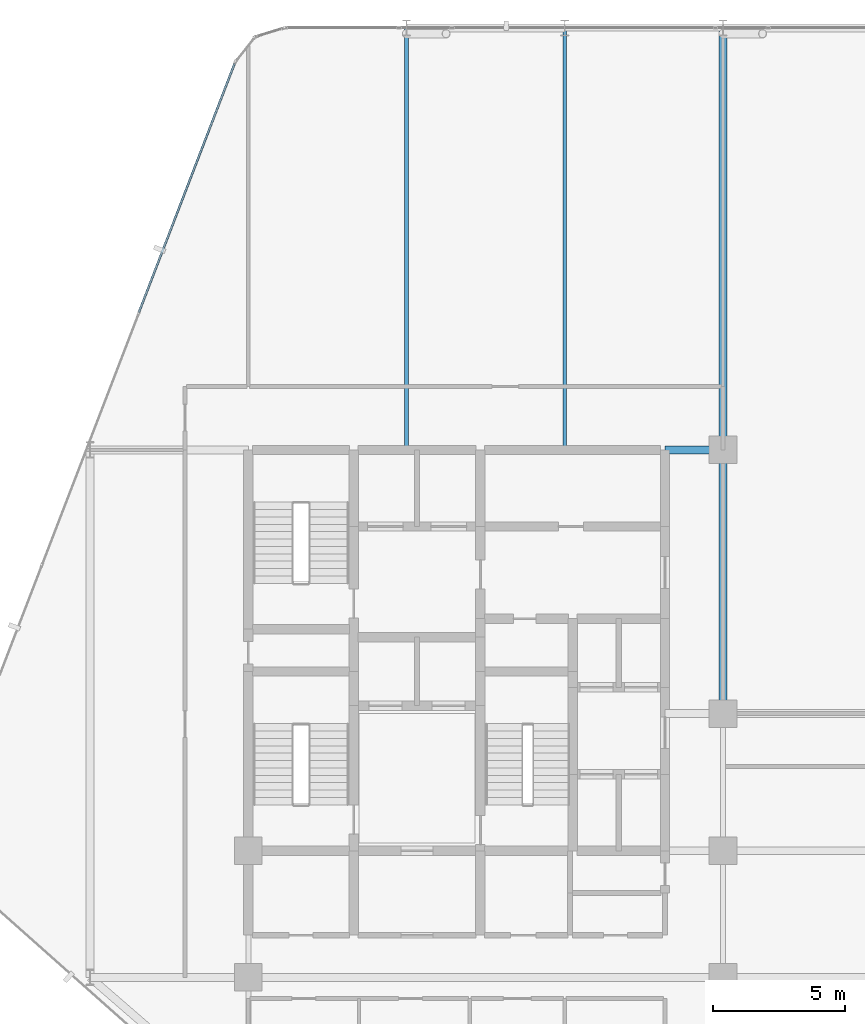
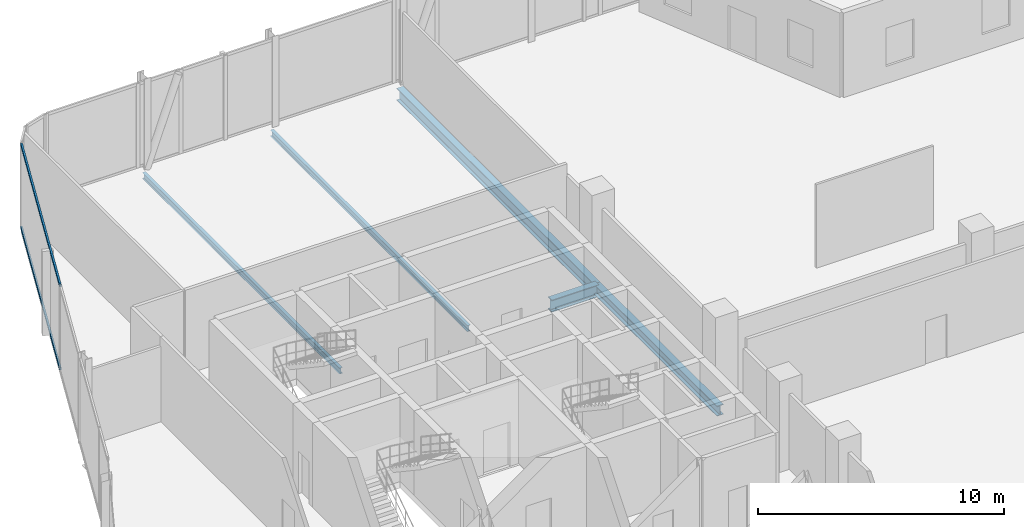
# One storey, part 15 of 31: 5 beams, 2 members, 1 element without a shape of its own.
"""IFC4 building model written with IfcOpenShell, lengths in metres."""

from ifc_helpers import new_model, si_unit, direction, frame, origin, origin_2d, place, context, subcontext, project, spatial, hollow_rectangle, i_section, extrude, material, layer, layer_set, material_profile, profile_set, type_object, element, aggregate, save


model = new_model("IFC4")

# Units and contexts
model_context = context("Model", 3, precision=1e-05, world=origin(), true_north=direction((0.0, 1.0)))
body_context = subcontext(model_context, "Body", "Model", "MODEL_VIEW")
ifc_project = project(units=[si_unit("LENGTHUNIT", "METRE"), si_unit("AREAUNIT", "SQUARE_METRE"), si_unit("VOLUMEUNIT", "CUBIC_METRE"), si_unit("PLANEANGLEUNIT", "RADIAN"), si_unit("MASSUNIT", "GRAM", prefix="KILO")], contexts=[model_context])

# Site, building, storey
site_placement = place(None, origin())
site = spatial("IfcSite", under=ifc_project, at=site_placement, CompositionType="ELEMENT")
building_placement = place(site_placement, origin())
building = spatial("IfcBuilding", under=site, at=building_placement, Name="Keshet Zoharim Tower", CompositionType="ELEMENT")
storey_placement = place(building_placement, frame((0.0, 0.0, 125.300048828125)))
storey = spatial("IfcBuildingStorey", under=building, at=storey_placement, Name="L30", CompositionType="ELEMENT", Elevation=125.300048828125)

# Beams
ifc_material_1 = material(Name="Steel S355", Category="steel")
ifc_material_profile_1 = material_profile(ifc_material_1, i_section(OverallWidth=0.300048828125, OverallDepth=0.60009765625, WebThickness=0.015380859375, FlangeThickness=0.030029296875, FilletRadius=0.027099609375, at=origin_2d()), Name="HEB600")
ifc_profile_set_1 = profile_set([ifc_material_profile_1], Name="Steel S355")
beam_type_1 = type_object("IfcBeamType", Name="BM-CLK-HB600", PredefinedType="BEAM", material=ifc_profile_set_1)
beam_1_placement = place(storey_placement, frame((30.800048828125, 37.89990234375, -0.6201171875), z_axis=(1.0, 0.0, 0.0), x_axis=(0.0, 1.0, 0.0)))
element("IfcBeam", 1, at=beam_1_placement, inside=storey, type_object=beam_type_1, Name="L30 Core Wall Link Girder 03", PredefinedType="BEAM", context=body_context, shape_type="SweptSolid", body=[
    extrude(i_section(OverallWidth=0.300048828125, OverallDepth=0.60009765625, WebThickness=0.015380859375, FlangeThickness=0.030029296875, FilletRadius=0.027099609375, at=origin_2d()), origin(), (0.0, 0.0, 1.0), 2.199951171875),
])
ifc_material_profile_2 = material_profile(ifc_material_1, i_section(OverallWidth=0.14990234375, OverallDepth=0.300048828125, WebThickness=0.007080078125, FlangeThickness=0.0107421875, FilletRadius=0.014892578125, at=origin_2d()), Name="IPE300")
ifc_profile_set_2 = profile_set([ifc_material_profile_2], Name="Steel S355")
beam_type_2 = type_object("IfcBeamType", Name="BM-JST-IP300", PredefinedType="JOIST", material=ifc_profile_set_2)
for number, where, z_axis, x_axis, name in (
    (2, (21.0, 37.89990234375, -0.469970703125), (0.0, 1.0, 0.0), (-1.0, 0.0, 0.0), "L30 Secondary Floor Joist J-001"),
    (3, (27.0, 37.89990234375, -0.469970703125), (0.0, 1.0, 0.0), (-1.0, 0.0, 0.0), "L30 Secondary Floor Joist J-002"),
):
    element("IfcBeam", number, at=place(storey_placement, frame(where, z_axis=z_axis, x_axis=x_axis)), inside=storey, type_object=beam_type_2, Name=name, PredefinedType="JOIST", context=body_context, shape_type="SweptSolid", body=[
        extrude(i_section(OverallWidth=0.14990234375, OverallDepth=0.300048828125, WebThickness=0.007080078125, FlangeThickness=0.0107421875, FilletRadius=0.014892578125, at=origin_2d()), origin(), (0.0, 0.0, 1.0), 16.0),
    ])
ifc_material_profile_3 = material_profile(ifc_material_1, i_section(OverallWidth=0.300048828125, OverallDepth=0.60009765625, WebThickness=0.015380859375, FlangeThickness=0.030029296875, FilletRadius=0.027099609375, at=origin_2d()), Name="HEB600")
ifc_profile_set_3 = profile_set([ifc_material_profile_3], Name="Steel S355")
beam_type_3 = type_object("IfcBeamType", Name="BM-LNG-HB600", PredefinedType="BEAM", material=ifc_profile_set_3)
beam_2_placement = place(storey_placement, frame((33.0, 37.89990234375, -0.6201171875), z_axis=(0.0, 1.0, 0.0), x_axis=(-1.0, 0.0, 0.0)))
element("IfcBeam", 4, at=beam_2_placement, inside=storey, type_object=beam_type_3, Name="L30 Primary Girder Y-011", PredefinedType="BEAM", context=body_context, shape_type="SweptSolid", body=[
    extrude(i_section(OverallWidth=0.300048828125, OverallDepth=0.60009765625, WebThickness=0.015380859375, FlangeThickness=0.030029296875, FilletRadius=0.027099609375, at=origin_2d()), origin(), (0.0, 0.0, 1.0), 16.0),
])
ifc_material_profile_4 = material_profile(ifc_material_1, i_section(OverallWidth=0.300048828125, OverallDepth=0.5, WebThickness=0.014404296875, FlangeThickness=0.028076171875, FilletRadius=0.027099609375, at=origin_2d()), Name="HEB500")
ifc_profile_set_4 = profile_set([ifc_material_profile_4], Name="Steel S355")
beam_type_4 = type_object("IfcBeamType", Name="BM-MED-HB500", PredefinedType="BEAM", material=ifc_profile_set_4)
beam_3_placement = place(storey_placement, frame((33.0, 27.89990234375, -0.570068359375), z_axis=(0.0, 1.0, 0.0), x_axis=(-1.0, 0.0, 0.0)))
element("IfcBeam", 5, at=beam_3_placement, inside=storey, type_object=beam_type_4, Name="L30 Primary Girder Y-010", PredefinedType="BEAM", context=body_context, shape_type="SweptSolid", body=[
    extrude(i_section(OverallWidth=0.300048828125, OverallDepth=0.5, WebThickness=0.014404296875, FlangeThickness=0.028076171875, FilletRadius=0.027099609375, at=origin_2d()), origin(), (0.0, 0.0, 1.0), 10.0),
])

# Curtain wall, members
ifc_material_2 = material(Name="Aluminium 6063-T6", Category="aluminium")
ifc_layer = layer(ifc_material_2, 0.14990234375)
ifc_layer_set = layer_set([ifc_layer], Name="Aluminium 6063-T6")
curtain_wall_type = type_object("IfcCurtainWallType", Name="CW-SYS-04", PredefinedType="NOTDEFINED", material=ifc_layer_set)
curtain_wall_placement = place(storey_placement, origin())
curtain_wall = element("IfcCurtainWall", 6, at=curtain_wall_placement, inside=storey, type_object=curtain_wall_type, Name="L30 Unitised Curtain Wall 16", PredefinedType="NOTDEFINED")
ifc_material_profile_5 = material_profile(ifc_material_2, hollow_rectangle(XDim=0.080078125, YDim=0.139892578125, WallThickness=0.00390625, at=origin_2d()), Name="TRN-80x140")
ifc_profile_set_5 = profile_set([ifc_material_profile_5], Name="Aluminium 6063-T6")
member_type = type_object("IfcMemberType", Name="CWT-T14", PredefinedType="USERDEFINED", material=ifc_profile_set_5)
member_1_placement = place(storey_placement, frame((10.849609375, 43.10888671875, 0.034912109375), z_axis=(0.358985546764, 0.933343118694, 0.0), x_axis=(-0.933343118694, 0.358985546764, 0.0)))
member_1 = element("IfcMember", 7, at=member_1_placement, type_object=member_type, Name="CW-04 transom 3.1", ObjectType="TRANSOM", PredefinedType="USERDEFINED", context=body_context, shape_type="SweptSolid", body=[
    extrude(hollow_rectangle(XDim=0.080078125, YDim=0.139892578125, WallThickness=0.00390625, at=origin_2d()), origin(), (0.0, 0.0, 1.0), 10.118408203125),
])
member_2_placement = place(storey_placement, frame((10.849609375, 43.10888671875, 4.14990234375), z_axis=(0.358985546764, 0.933343118694, 0.0), x_axis=(-0.933343118694, 0.358985546764, 0.0)))
member_2 = element("IfcMember", 8, at=member_2_placement, type_object=member_type, Name="CW-04 transom 3.2", ObjectType="TRANSOM", PredefinedType="USERDEFINED", context=body_context, shape_type="SweptSolid", body=[
    extrude(hollow_rectangle(XDim=0.080078125, YDim=0.139892578125, WallThickness=0.00390625, at=origin_2d()), origin(), (0.0, 0.0, 1.0), 10.118408203125),
])
aggregate(curtain_wall, [member_1, member_2])

save(model, "model.ifc")
